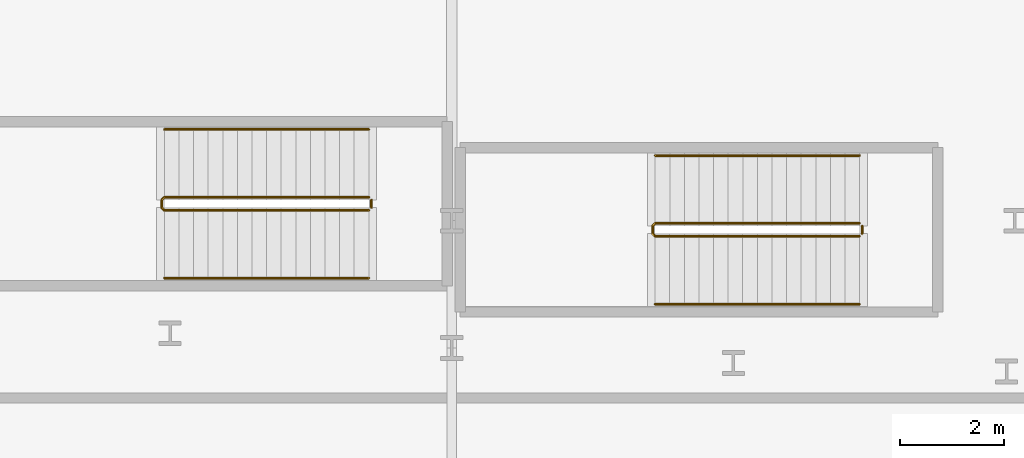
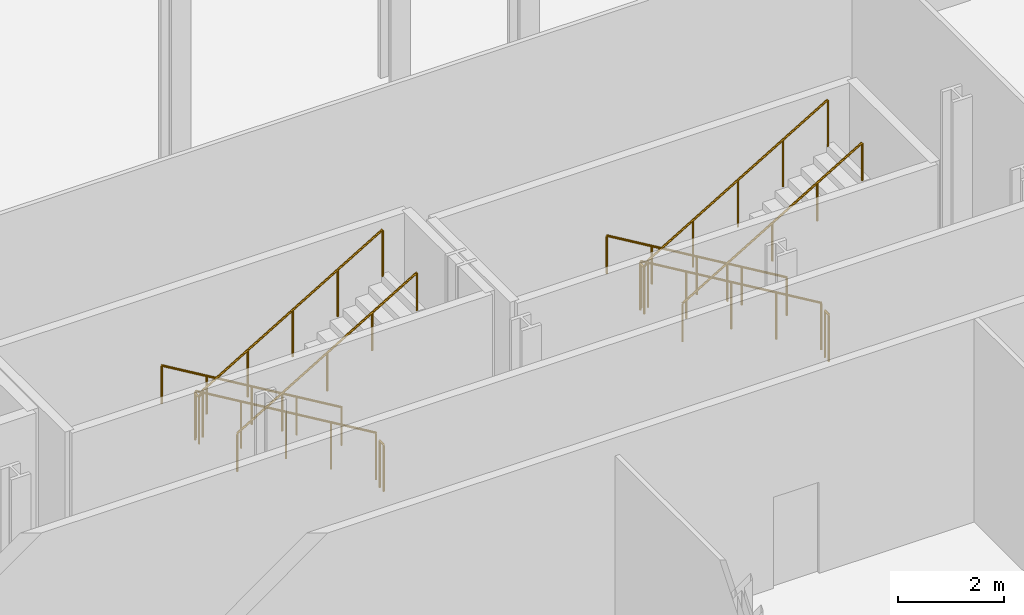
# One storey, part 40 of 47: 8 railings.
"""IFC4 building model written with IfcOpenShell, lengths in metres."""

from ifc_helpers import new_model, si_unit, direction, frame, origin, origin_2d, place, context, subcontext, project, spatial, circle, extrude, material, type_object, element, save


model = new_model("IFC4")

# Units and contexts
model_context = context("Model", 3, precision=1e-05, world=origin(), true_north=direction((0.0, 1.0)))
body_context = subcontext(model_context, "Body", "Model", "MODEL_VIEW")
ifc_project = project(units=[si_unit("LENGTHUNIT", "METRE"), si_unit("AREAUNIT", "SQUARE_METRE"), si_unit("VOLUMEUNIT", "CUBIC_METRE"), si_unit("PLANEANGLEUNIT", "RADIAN"), si_unit("MASSUNIT", "GRAM", prefix="KILO")], contexts=[model_context])

# Site, building, storey
site_placement = place(None, origin())
site = spatial("IfcSite", under=ifc_project, at=site_placement, CompositionType="ELEMENT")
building_placement = place(site_placement, origin())
building = spatial("IfcBuilding", under=site, at=building_placement, Name="Kheshtan School and Residences Tower", CompositionType="ELEMENT")
storey_placement = place(building_placement, frame((0.0, 0.0, 7.5)))
storey = spatial("IfcBuildingStorey", under=building, at=storey_placement, Name="L01", CompositionType="ELEMENT", Elevation=7.5)

# Railings
ifc_material_1 = material(Name="Stainless steel balustrade", Category="steel")
railing_type_1 = type_object("IfcRailingType", Name="Stair guard 1100", PredefinedType="GUARDRAIL", material=ifc_material_1)
railing_1_placement = place(storey_placement, frame((87.820068359375, 23.949951171875, 0.166748046875)))
element("IfcRailing", 1, at=railing_1_placement, inside=storey, type_object=railing_type_1, Name="L01 ST4 stair guard 1", PredefinedType="GUARDRAIL", context=body_context, shape_type="SweptSolid", body=[
    extrude(circle(Radius=0.02392578125, at=origin_2d()), frame((0.0, 0.0, 1.076171875), z_axis=(-0.859310244771, 0.0, 0.511454693235), x_axis=(0.0, -1.0, 0.0)), (0.0, 0.0, 1.0), 4.56201171875),
    extrude(circle(Radius=0.02392578125, at=origin_2d()), frame((-3.920166015625, 0.0, 3.4091796875), z_axis=(-0.705375805398, -0.708833529934, 0.0), x_axis=(0.708833529934, -0.705375805398, 0.0)), (0.0, 0.0, 1.0), 0.070556640625),
    extrude(circle(Radius=0.02392578125, at=origin_2d()), frame((-3.969970703125, -0.050048828125, 3.4091796875), z_axis=(0.0, -1.0, 0.0), x_axis=(1.0, 0.0, 0.0)), (0.0, 0.0, 1.0), 0.14990234375),
    extrude(circle(Radius=0.02392578125, at=origin_2d()), frame((-3.969970703125, -0.199951171875, 3.4091796875), z_axis=(0.275041040955, -0.276389281352, 0.920848191041), x_axis=(0.708833529934, 0.705375805398, 0.0)), (0.0, 0.0, 1.0), 0.18115234375),
    extrude(circle(Radius=0.02392578125, at=origin_2d()), frame((-3.920166015625, -0.25, 3.576171875), z_axis=(0.859310244771, 0.0, 0.511454693235), x_axis=(0.0, 1.0, 0.0)), (0.0, 0.0, 1.0), 4.56201171875),
    extrude(circle(Radius=0.02099609375, at=origin_2d()), origin(), (0.0, 0.0, 1.0), 1.052001953125),
    extrude(circle(Radius=0.02099609375, at=origin_2d()), frame((-0.97998046875, 0.0, 0.583251953125)), (0.0, 0.0, 1.0), 1.052001953125),
    extrude(circle(Radius=0.02099609375, at=origin_2d()), frame((-1.9599609375, 0.0, 1.16650390625)), (0.0, 0.0, 1.0), 1.052001953125),
    extrude(circle(Radius=0.02099609375, at=origin_2d()), frame((-2.940185546875, 0.0, 1.75)), (0.0, 0.0, 1.0), 1.052001953125),
    extrude(circle(Radius=0.02099609375, at=origin_2d()), frame((-3.920166015625, 0.0, 2.333251953125)), (0.0, 0.0, 1.0), 1.052001953125),
    extrude(circle(Radius=0.02099609375, at=origin_2d()), frame((-3.969970703125, -0.050048828125, 2.333251953125)), (0.0, 0.0, 1.0), 1.052001953125),
    extrude(circle(Radius=0.02099609375, at=origin_2d()), frame((-3.969970703125, -0.199951171875, 2.333251953125)), (0.0, 0.0, 1.0), 1.052001953125),
    extrude(circle(Radius=0.02099609375, at=origin_2d()), frame((-3.920166015625, -0.25, 2.5)), (0.0, 0.0, 1.0), 1.052001953125),
    extrude(circle(Radius=0.02099609375, at=origin_2d()), frame((-2.940185546875, -0.25, 3.083251953125)), (0.0, 0.0, 1.0), 1.052001953125),
    extrude(circle(Radius=0.02099609375, at=origin_2d()), frame((-1.9599609375, -0.25, 3.66650390625)), (0.0, 0.0, 1.0), 1.052001953125),
    extrude(circle(Radius=0.02099609375, at=origin_2d()), frame((-0.97998046875, -0.25, 4.25)), (0.0, 0.0, 1.0), 1.052001953125),
    extrude(circle(Radius=0.02099609375, at=origin_2d()), frame((0.0, -0.25, 4.833251953125)), (0.0, 0.0, 1.0), 1.052001953125),
])
railing_2_placement = place(storey_placement, frame((87.8701171875, 23.89990234375, 0.0)))
element("IfcRailing", 2, at=railing_2_placement, inside=storey, type_object=railing_type_1, Name="L01 ST4 stair guard 2", PredefinedType="GUARDRAIL", context=body_context, shape_type="SweptSolid", body=[
    extrude(circle(Radius=0.02392578125, at=origin_2d()), frame((0.0, 0.0, 1.076171875), z_axis=(0.0, -1.0, 0.0), x_axis=(1.0, 0.0, 0.0)), (0.0, 0.0, 1.0), 0.14990234375),
    extrude(circle(Radius=0.02099609375, at=origin_2d()), origin(), (0.0, 0.0, 1.0), 1.052001953125),
    extrude(circle(Radius=0.02099609375, at=origin_2d()), frame((0.0, -0.14990234375, 0.0)), (0.0, 0.0, 1.0), 1.052001953125),
])
railing_3_placement = place(storey_placement, frame((78.409912109375, 24.449951171875, 0.166748046875)))
element("IfcRailing", 3, at=railing_3_placement, inside=storey, type_object=railing_type_1, Name="L01 ST5 stair guard 1", PredefinedType="GUARDRAIL", context=body_context, shape_type="SweptSolid", body=[
    extrude(circle(Radius=0.02392578125, at=origin_2d()), frame((0.0, 0.0, 1.076171875), z_axis=(-0.859296244711, 0.0, 0.511478214419), x_axis=(0.0, -1.0, 0.0)), (0.0, 0.0, 1.0), 4.561767578125),
    extrude(circle(Radius=0.02392578125, at=origin_2d()), frame((-3.919921875, 0.0, 3.4091796875), z_axis=(-0.707106781187, -0.707106781187, 0.0), x_axis=(0.707106781187, -0.707106781187, 0.0)), (0.0, 0.0, 1.0), 0.07080078125),
    extrude(circle(Radius=0.02392578125, at=origin_2d()), frame((-3.969970703125, -0.050048828125, 3.4091796875), z_axis=(0.0, -1.0, 0.0), x_axis=(1.0, 0.0, 0.0)), (0.0, 0.0, 1.0), 0.14990234375),
    extrude(circle(Radius=0.02392578125, at=origin_2d()), frame((-3.969970703125, -0.199951171875, 3.4091796875), z_axis=(0.27628659633, -0.27628659633, 0.920506074601), x_axis=(0.707106781187, 0.707106781187, 0.0)), (0.0, 0.0, 1.0), 0.18115234375),
    extrude(circle(Radius=0.02392578125, at=origin_2d()), frame((-3.919921875, -0.25, 3.576171875), z_axis=(0.859296244711, 0.0, 0.511478214419), x_axis=(0.0, 1.0, 0.0)), (0.0, 0.0, 1.0), 4.561767578125),
    extrude(circle(Radius=0.02099609375, at=origin_2d()), origin(), (0.0, 0.0, 1.0), 1.052001953125),
    extrude(circle(Radius=0.02099609375, at=origin_2d()), frame((-0.97998046875, 0.0, 0.583251953125)), (0.0, 0.0, 1.0), 1.052001953125),
    extrude(circle(Radius=0.02099609375, at=origin_2d()), frame((-1.9599609375, 0.0, 1.16650390625)), (0.0, 0.0, 1.0), 1.052001953125),
    extrude(circle(Radius=0.02099609375, at=origin_2d()), frame((-2.93994140625, 0.0, 1.75)), (0.0, 0.0, 1.0), 1.052001953125),
    extrude(circle(Radius=0.02099609375, at=origin_2d()), frame((-3.919921875, 0.0, 2.333251953125)), (0.0, 0.0, 1.0), 1.052001953125),
    extrude(circle(Radius=0.02099609375, at=origin_2d()), frame((-3.969970703125, -0.050048828125, 2.333251953125)), (0.0, 0.0, 1.0), 1.052001953125),
    extrude(circle(Radius=0.02099609375, at=origin_2d()), frame((-3.969970703125, -0.199951171875, 2.333251953125)), (0.0, 0.0, 1.0), 1.052001953125),
    extrude(circle(Radius=0.02099609375, at=origin_2d()), frame((-3.919921875, -0.25, 2.5)), (0.0, 0.0, 1.0), 1.052001953125),
    extrude(circle(Radius=0.02099609375, at=origin_2d()), frame((-2.93994140625, -0.25, 3.083251953125)), (0.0, 0.0, 1.0), 1.052001953125),
    extrude(circle(Radius=0.02099609375, at=origin_2d()), frame((-1.9599609375, -0.25, 3.66650390625)), (0.0, 0.0, 1.0), 1.052001953125),
    extrude(circle(Radius=0.02099609375, at=origin_2d()), frame((-0.97998046875, -0.25, 4.25)), (0.0, 0.0, 1.0), 1.052001953125),
    extrude(circle(Radius=0.02099609375, at=origin_2d()), frame((0.0, -0.25, 4.833251953125)), (0.0, 0.0, 1.0), 1.052001953125),
])
railing_4_placement = place(storey_placement, frame((78.4599609375, 24.39990234375, 0.0)))
element("IfcRailing", 4, at=railing_4_placement, inside=storey, type_object=railing_type_1, Name="L01 ST5 stair guard 2", PredefinedType="GUARDRAIL", context=body_context, shape_type="SweptSolid", body=[
    extrude(circle(Radius=0.02392578125, at=origin_2d()), frame((0.0, 0.0, 1.076171875), z_axis=(0.0, -1.0, 0.0), x_axis=(1.0, 0.0, 0.0)), (0.0, 0.0, 1.0), 0.14990234375),
    extrude(circle(Radius=0.02099609375, at=origin_2d()), origin(), (0.0, 0.0, 1.0), 1.052001953125),
    extrude(circle(Radius=0.02099609375, at=origin_2d()), frame((0.0, -0.14990234375, 0.0)), (0.0, 0.0, 1.0), 1.052001953125),
])
ifc_material_2 = material(Name="Stainless steel handrail", Category="steel")
railing_type_2 = type_object("IfcRailingType", Name="Stair handrail 900", PredefinedType="HANDRAIL", material=ifc_material_2)
railing_5_placement = place(storey_placement, frame((87.820068359375, 25.25, 0.166748046875)))
element("IfcRailing", 5, at=railing_5_placement, inside=storey, type_object=railing_type_2, Name="L01 ST4 stair handrail 1", PredefinedType="HANDRAIL", context=body_context, shape_type="SweptSolid", body=[
    extrude(circle(Radius=0.02392578125, at=origin_2d()), frame((0.0, 0.0, 0.8759765625), z_axis=(-0.859310244771, 0.0, 0.511454693235), x_axis=(0.0, -1.0, 0.0)), (0.0, 0.0, 1.0), 4.56201171875),
    extrude(circle(Radius=0.02099609375, at=origin_2d()), origin(), (0.0, 0.0, 1.0), 0.851806640625),
    extrude(circle(Radius=0.02099609375, at=origin_2d()), frame((-0.97998046875, 0.0, 0.583251953125)), (0.0, 0.0, 1.0), 0.851806640625),
    extrude(circle(Radius=0.02099609375, at=origin_2d()), frame((-1.9599609375, 0.0, 1.16650390625)), (0.0, 0.0, 1.0), 0.851806640625),
    extrude(circle(Radius=0.02099609375, at=origin_2d()), frame((-2.940185546875, 0.0, 1.75)), (0.0, 0.0, 1.0), 0.851806640625),
    extrude(circle(Radius=0.02099609375, at=origin_2d()), frame((-3.920166015625, 0.0, 2.333251953125)), (0.0, 0.0, 1.0), 0.851806640625),
])
railing_6_placement = place(storey_placement, frame((83.89990234375, 22.39990234375, 2.666748046875)))
element("IfcRailing", 6, at=railing_6_placement, inside=storey, type_object=railing_type_2, Name="L01 ST4 stair handrail 2", PredefinedType="HANDRAIL", context=body_context, shape_type="SweptSolid", body=[
    extrude(circle(Radius=0.02392578125, at=origin_2d()), frame((0.0, 0.0, 0.8759765625), z_axis=(0.859310244771, 0.0, 0.511454693235), x_axis=(0.0, 1.0, 0.0)), (0.0, 0.0, 1.0), 4.56201171875),
    extrude(circle(Radius=0.02099609375, at=origin_2d()), origin(), (0.0, 0.0, 1.0), 0.851806640625),
    extrude(circle(Radius=0.02099609375, at=origin_2d()), frame((0.97998046875, 0.0, 0.583251953125)), (0.0, 0.0, 1.0), 0.851806640625),
    extrude(circle(Radius=0.02099609375, at=origin_2d()), frame((1.9599609375, 0.0, 1.16650390625)), (0.0, 0.0, 1.0), 0.851806640625),
    extrude(circle(Radius=0.02099609375, at=origin_2d()), frame((2.940185546875, 0.0, 1.75)), (0.0, 0.0, 1.0), 0.851806640625),
    extrude(circle(Radius=0.02099609375, at=origin_2d()), frame((3.920166015625, 0.0, 2.333251953125)), (0.0, 0.0, 1.0), 0.851806640625),
])
railing_7_placement = place(storey_placement, frame((78.409912109375, 25.75, 0.166748046875)))
element("IfcRailing", 7, at=railing_7_placement, inside=storey, type_object=railing_type_2, Name="L01 ST5 stair handrail 1", PredefinedType="HANDRAIL", context=body_context, shape_type="SweptSolid", body=[
    extrude(circle(Radius=0.02392578125, at=origin_2d()), frame((0.0, 0.0, 0.8759765625), z_axis=(-0.859296244711, 0.0, 0.511478214419), x_axis=(0.0, -1.0, 0.0)), (0.0, 0.0, 1.0), 4.561767578125),
    extrude(circle(Radius=0.02099609375, at=origin_2d()), origin(), (0.0, 0.0, 1.0), 0.851806640625),
    extrude(circle(Radius=0.02099609375, at=origin_2d()), frame((-0.97998046875, 0.0, 0.583251953125)), (0.0, 0.0, 1.0), 0.851806640625),
    extrude(circle(Radius=0.02099609375, at=origin_2d()), frame((-1.9599609375, 0.0, 1.16650390625)), (0.0, 0.0, 1.0), 0.851806640625),
    extrude(circle(Radius=0.02099609375, at=origin_2d()), frame((-2.93994140625, 0.0, 1.75)), (0.0, 0.0, 1.0), 0.851806640625),
    extrude(circle(Radius=0.02099609375, at=origin_2d()), frame((-3.919921875, 0.0, 2.333251953125)), (0.0, 0.0, 1.0), 0.851806640625),
])
railing_8_placement = place(storey_placement, frame((74.489990234375, 22.89990234375, 2.666748046875)))
element("IfcRailing", 8, at=railing_8_placement, inside=storey, type_object=railing_type_2, Name="L01 ST5 stair handrail 2", PredefinedType="HANDRAIL", context=body_context, shape_type="SweptSolid", body=[
    extrude(circle(Radius=0.02392578125, at=origin_2d()), frame((0.0, 0.0, 0.8759765625), z_axis=(0.859296244711, 0.0, 0.511478214419), x_axis=(0.0, 1.0, 0.0)), (0.0, 0.0, 1.0), 4.561767578125),
    extrude(circle(Radius=0.02099609375, at=origin_2d()), origin(), (0.0, 0.0, 1.0), 0.851806640625),
    extrude(circle(Radius=0.02099609375, at=origin_2d()), frame((0.97998046875, 0.0, 0.583251953125)), (0.0, 0.0, 1.0), 0.851806640625),
    extrude(circle(Radius=0.02099609375, at=origin_2d()), frame((1.9599609375, 0.0, 1.16650390625)), (0.0, 0.0, 1.0), 0.851806640625),
    extrude(circle(Radius=0.02099609375, at=origin_2d()), frame((2.93994140625, 0.0, 1.75)), (0.0, 0.0, 1.0), 0.851806640625),
    extrude(circle(Radius=0.02099609375, at=origin_2d()), frame((3.919921875, 0.0, 2.333251953125)), (0.0, 0.0, 1.0), 0.851806640625),
])

save(model, "model.ifc")
